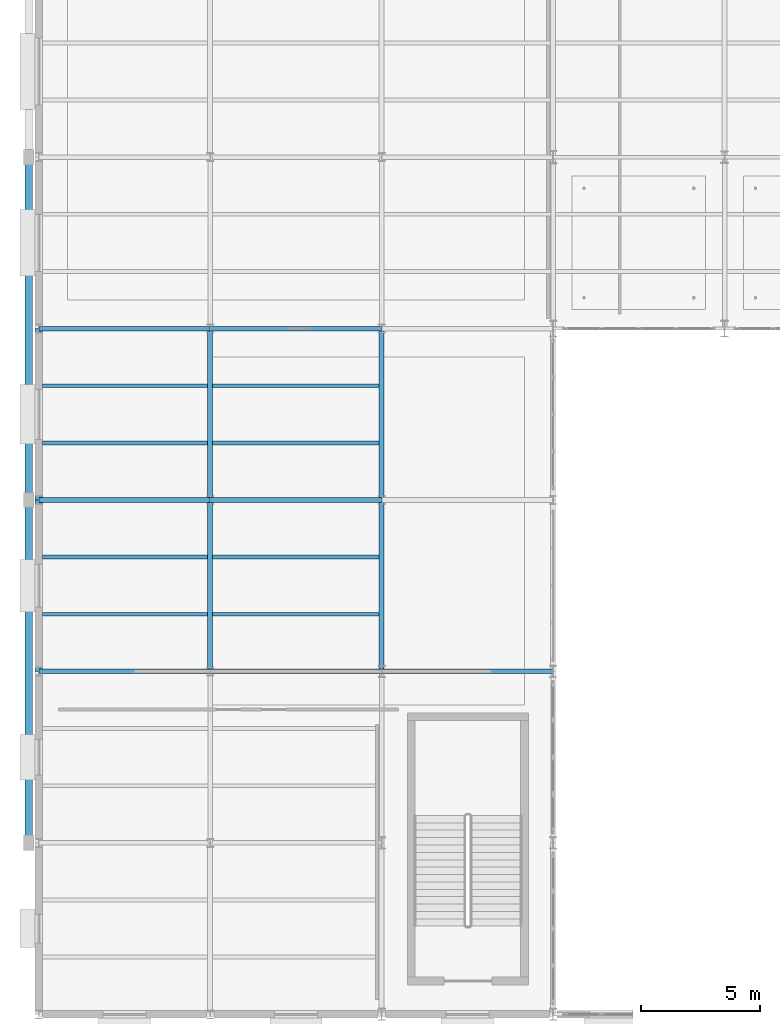
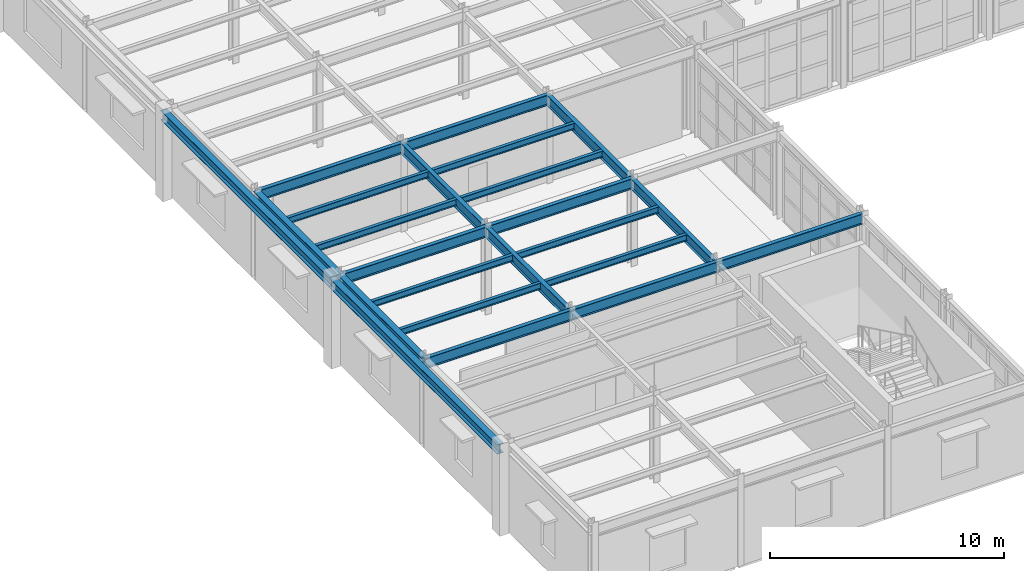
# One storey, part 27 of 121: 23 beams.
"""IFC4 building model written with IfcOpenShell, lengths in metres."""

from ifc_helpers import new_model, si_unit, direction, frame, origin, origin_2d, place, context, subcontext, project, spatial, i_section, extrude, material, material_profile, profile_set, type_object, element, save


model = new_model("IFC4")

# Units and contexts
model_context = context("Model", 3, precision=1e-05, world=origin(), true_north=direction((0.0, 1.0)))
body_context = subcontext(model_context, "Body", "Model", "MODEL_VIEW")
ifc_project = project(units=[si_unit("LENGTHUNIT", "METRE"), si_unit("AREAUNIT", "SQUARE_METRE"), si_unit("VOLUMEUNIT", "CUBIC_METRE"), si_unit("PLANEANGLEUNIT", "RADIAN"), si_unit("MASSUNIT", "GRAM", prefix="KILO")], contexts=[model_context])

# Site, building, storey
site_placement = place(None, origin())
site = spatial("IfcSite", under=ifc_project, at=site_placement, CompositionType="ELEMENT")
building_placement = place(site_placement, origin())
building = spatial("IfcBuilding", under=site, at=building_placement, Name="Solvadek Multi-Sports Hall", CompositionType="ELEMENT")
storey_placement = place(building_placement, frame((0.0, 0.0, 4.800048828125)))
storey = spatial("IfcBuildingStorey", under=building, at=storey_placement, Name="L01", CompositionType="ELEMENT", Elevation=4.800048828125)

# Beams
ifc_material = material(Name="Steel E350 (350 MPa)", Category="steel")
ifc_material_profile_1 = material_profile(ifc_material, i_section(OverallWidth=0.18994140625, OverallDepth=0.550048828125, WebThickness=0.01123046875, FlangeThickness=0.019287109375, at=origin_2d()), Name="ISMB 550")
ifc_profile_set_1 = profile_set([ifc_material_profile_1], Name="Steel E350 (350 MPa)")
beam_type_1 = type_object("IfcBeamType", Name="STR-BM-ISMB550", PredefinedType="BEAM", material=ifc_profile_set_1)
for number, where, z_axis, x_axis, name in (
    (1, (0.0, 34.800048828125, 4.284912109375), (1.0, 0.0, 0.0), (0.0, 1.0, 0.0), "L01 Girder B-06 #983"),
    (2, (7.199951171875, 34.800048828125, 4.284912109375), (1.0, 0.0, 0.0), (0.0, 1.0, 0.0), "L01 Girder B-06 #984"),
):
    element("IfcBeam", number, at=place(storey_placement, frame(where, z_axis=z_axis, x_axis=x_axis)), inside=storey, type_object=beam_type_1, Name=name, PredefinedType="BEAM", context=body_context, shape_type="SweptSolid", body=[
        extrude(i_section(OverallWidth=0.18994140625, OverallDepth=0.550048828125, WebThickness=0.01123046875, FlangeThickness=0.019287109375, at=origin_2d()), origin(), (0.0, 0.0, 1.0), 7.199951171875),
    ])
beam_placement = place(storey_placement, frame((14.39990234375, 34.800048828125, 4.284912109375), z_axis=(1.0, 0.0, 0.0), x_axis=(0.0, 1.0, 0.0)))
element("IfcBeam", 3, at=beam_placement, inside=storey, type_object=beam_type_1, Name="L01 Girder B-06 #985", PredefinedType="BEAM", context=body_context, shape_type="SweptSolid", body=[
    extrude(i_section(OverallWidth=0.18994140625, OverallDepth=0.550048828125, WebThickness=0.01123046875, FlangeThickness=0.019287109375, at=origin_2d()), origin(), (0.0, 0.0, 1.0), 7.2001953125),
])
for number, where, z_axis, x_axis, name in (
    (4, (0.0, 42.0, 4.284912109375), (1.0, 0.0, 0.0), (0.0, 1.0, 0.0), "L01 Girder B-06 #989"),
    (5, (7.199951171875, 42.0, 4.284912109375), (1.0, 0.0, 0.0), (0.0, 1.0, 0.0), "L01 Girder B-06 #990"),
    (6, (0.0, 49.199951171875, 4.284912109375), (1.0, 0.0, 0.0), (0.0, 1.0, 0.0), "L01 Girder B-06 #1005"),
    (7, (7.199951171875, 49.199951171875, 4.284912109375), (1.0, 0.0, 0.0), (0.0, 1.0, 0.0), "L01 Girder B-06 #1006"),
):
    element("IfcBeam", number, at=place(storey_placement, frame(where, z_axis=z_axis, x_axis=x_axis)), inside=storey, type_object=beam_type_1, Name=name, PredefinedType="BEAM", context=body_context, shape_type="SweptSolid", body=[
        extrude(i_section(OverallWidth=0.18994140625, OverallDepth=0.550048828125, WebThickness=0.01123046875, FlangeThickness=0.019287109375, at=origin_2d()), origin(), (0.0, 0.0, 1.0), 7.199951171875),
    ])
ifc_material_profile_2 = material_profile(ifc_material, i_section(OverallWidth=0.2099609375, OverallDepth=0.550048828125, WebThickness=0.010986328125, FlangeThickness=0.01708984375, at=origin_2d()), Name="NPB 550")
ifc_profile_set_2 = profile_set([ifc_material_profile_2], Name="Steel E350 (350 MPa)")
beam_type_2 = type_object("IfcBeamType", Name="STR-BM-NPB550", PredefinedType="BEAM", material=ifc_profile_set_2)
for number, where, z_axis, x_axis, name in (
    (8, (7.199951171875, 34.800048828125, 4.284912109375), (0.0, 1.0, 0.0), (-1.0, 0.0, 0.0), "L01 Girder B-05 #1130"),
    (9, (7.199951171875, 42.0, 4.284912109375), (0.0, 1.0, 0.0), (-1.0, 0.0, 0.0), "L01 Girder B-05 #1131"),
    (10, (14.39990234375, 34.800048828125, 4.284912109375), (0.0, 1.0, 0.0), (-1.0, 0.0, 0.0), "L01 Girder B-05 #1142"),
    (11, (14.39990234375, 42.0, 4.284912109375), (0.0, 1.0, 0.0), (-1.0, 0.0, 0.0), "L01 Girder B-05 #1143"),
):
    element("IfcBeam", number, at=place(storey_placement, frame(where, z_axis=z_axis, x_axis=x_axis)), inside=storey, type_object=beam_type_2, Name=name, PredefinedType="BEAM", context=body_context, shape_type="SweptSolid", body=[
        extrude(i_section(OverallWidth=0.2099609375, OverallDepth=0.550048828125, WebThickness=0.010986328125, FlangeThickness=0.01708984375, at=origin_2d()), origin(), (0.0, 0.0, 1.0), 7.199951171875),
    ])
ifc_material_profile_3 = material_profile(ifc_material, i_section(OverallWidth=0.159912109375, OverallDepth=0.330078125, WebThickness=0.007568359375, FlangeThickness=0.011474609375, at=origin_2d()), Name="NPB 330")
ifc_profile_set_3 = profile_set([ifc_material_profile_3], Name="Steel E350 (350 MPa)")
beam_type_3 = type_object("IfcBeamType", Name="STR-JST-NPB330", PredefinedType="JOIST", material=ifc_profile_set_3)
for number, where, z_axis, x_axis, name in (
    (12, (0.14990234375, 37.199951171875, 4.39501953125), (1.0, 0.0, 0.0), (0.0, 1.0, 0.0), "L01 Composite Joist J-02 #614"),
    (13, (0.14990234375, 39.60009765625, 4.39501953125), (1.0, 0.0, 0.0), (0.0, 1.0, 0.0), "L01 Composite Joist J-02 #615"),
):
    element("IfcBeam", number, at=place(storey_placement, frame(where, z_axis=z_axis, x_axis=x_axis)), inside=storey, type_object=beam_type_3, Name=name, PredefinedType="JOIST", context=body_context, shape_type="SweptSolid", body=[
        extrude(i_section(OverallWidth=0.159912109375, OverallDepth=0.330078125, WebThickness=0.007568359375, FlangeThickness=0.011474609375, at=origin_2d()), origin(), (0.0, 0.0, 1.0), 6.945068359375),
    ])
for number, where, z_axis, x_axis, name in (
    (14, (7.304931640625, 37.199951171875, 4.39501953125), (1.0, 0.0, 0.0), (0.0, 1.0, 0.0), "L01 Composite Joist J-02 #616"),
    (15, (7.304931640625, 39.60009765625, 4.39501953125), (1.0, 0.0, 0.0), (0.0, 1.0, 0.0), "L01 Composite Joist J-02 #617"),
):
    element("IfcBeam", number, at=place(storey_placement, frame(where, z_axis=z_axis, x_axis=x_axis)), inside=storey, type_object=beam_type_3, Name=name, PredefinedType="JOIST", context=body_context, shape_type="SweptSolid", body=[
        extrude(i_section(OverallWidth=0.159912109375, OverallDepth=0.330078125, WebThickness=0.007568359375, FlangeThickness=0.011474609375, at=origin_2d()), origin(), (0.0, 0.0, 1.0), 6.989990234375),
    ])
for number, where, z_axis, x_axis, name in (
    (16, (0.14990234375, 44.39990234375, 4.39501953125), (1.0, 0.0, 0.0), (0.0, 1.0, 0.0), "L01 Composite Joist J-02 #618"),
    (17, (0.14990234375, 46.800048828125, 4.39501953125), (1.0, 0.0, 0.0), (0.0, 1.0, 0.0), "L01 Composite Joist J-02 #619"),
):
    element("IfcBeam", number, at=place(storey_placement, frame(where, z_axis=z_axis, x_axis=x_axis)), inside=storey, type_object=beam_type_3, Name=name, PredefinedType="JOIST", context=body_context, shape_type="SweptSolid", body=[
        extrude(i_section(OverallWidth=0.159912109375, OverallDepth=0.330078125, WebThickness=0.007568359375, FlangeThickness=0.011474609375, at=origin_2d()), origin(), (0.0, 0.0, 1.0), 6.945068359375),
    ])
for number, where, z_axis, x_axis, name in (
    (18, (7.304931640625, 44.39990234375, 4.39501953125), (1.0, 0.0, 0.0), (0.0, 1.0, 0.0), "L01 Composite Joist J-02 #620"),
    (19, (7.304931640625, 46.800048828125, 4.39501953125), (1.0, 0.0, 0.0), (0.0, 1.0, 0.0), "L01 Composite Joist J-02 #621"),
):
    element("IfcBeam", number, at=place(storey_placement, frame(where, z_axis=z_axis, x_axis=x_axis)), inside=storey, type_object=beam_type_3, Name=name, PredefinedType="JOIST", context=body_context, shape_type="SweptSolid", body=[
        extrude(i_section(OverallWidth=0.159912109375, OverallDepth=0.330078125, WebThickness=0.007568359375, FlangeThickness=0.011474609375, at=origin_2d()), origin(), (0.0, 0.0, 1.0), 6.989990234375),
    ])
ifc_material_profile_4 = material_profile(ifc_material, i_section(OverallWidth=0.300048828125, OverallDepth=0.5, WebThickness=0.014404296875, FlangeThickness=0.028076171875, at=origin_2d()), Name="WPB 500")
ifc_profile_set_4 = profile_set([ifc_material_profile_4], Name="Steel E350 (350 MPa)")
beam_type_4 = type_object("IfcBeamType", Name="STR-SPN-WPB500", PredefinedType="SPANDREL", material=ifc_profile_set_4)
for number, where, z_axis, x_axis, name in (
    (20, (-0.419921875, 27.60009765625, 4.31005859375), (0.0, 1.0, 0.0), (-1.0, 0.0, 0.0), "L01 Girder SP-01 #1112"),
    (21, (-0.419921875, 42.0, 4.31005859375), (0.0, 1.0, 0.0), (-1.0, 0.0, 0.0), "L01 Girder SP-01 #1113"),
):
    element("IfcBeam", number, at=place(storey_placement, frame(where, z_axis=z_axis, x_axis=x_axis)), inside=storey, type_object=beam_type_4, Name=name, PredefinedType="SPANDREL", context=body_context, shape_type="SweptSolid", body=[
        extrude(i_section(OverallWidth=0.300048828125, OverallDepth=0.5, WebThickness=0.014404296875, FlangeThickness=0.028076171875, at=origin_2d()), origin(), (0.0, 0.0, 1.0), 14.39990234375),
    ])
for number, where, z_axis, x_axis, name in (
    (22, (0.0, 34.800048828125, 4.31005859375), (0.0, 1.0, 0.0), (-1.0, 0.0, 0.0), "L01 Girder SP-01 #1118"),
    (23, (0.0, 42.0, 4.31005859375), (0.0, 1.0, 0.0), (-1.0, 0.0, 0.0), "L01 Girder SP-01 #1119"),
):
    element("IfcBeam", number, at=place(storey_placement, frame(where, z_axis=z_axis, x_axis=x_axis)), inside=storey, type_object=beam_type_4, Name=name, PredefinedType="SPANDREL", context=body_context, shape_type="SweptSolid", body=[
        extrude(i_section(OverallWidth=0.300048828125, OverallDepth=0.5, WebThickness=0.014404296875, FlangeThickness=0.028076171875, at=origin_2d()), origin(), (0.0, 0.0, 1.0), 7.199951171875),
    ])

save(model, "model.ifc")
